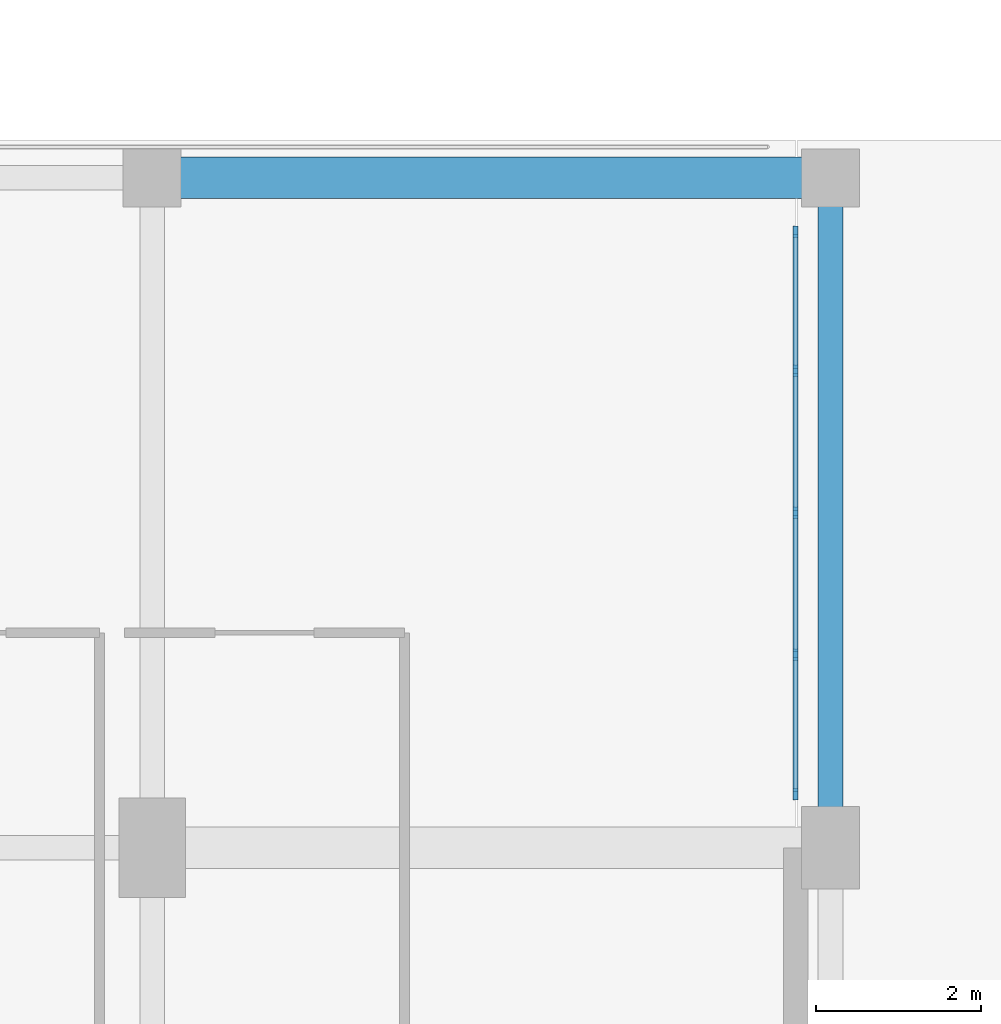
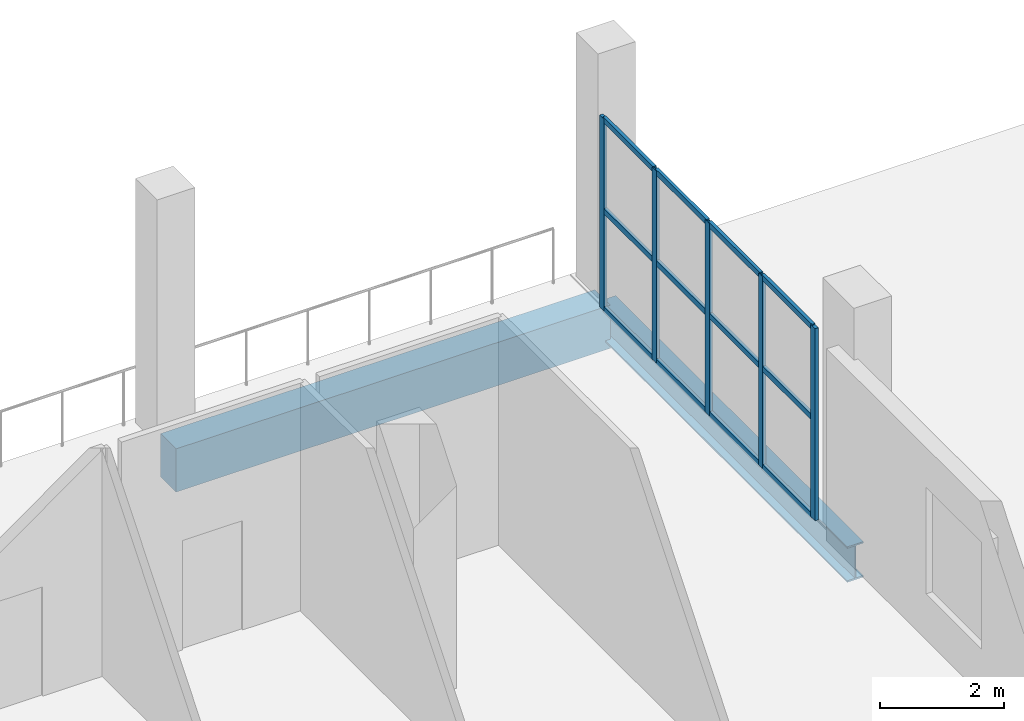
# One storey, part 49 of 142: 17 members, 2 beams, 1 element without a shape of its own.
"""IFC4 building model written with IfcOpenShell, lengths in metres."""

from ifc_helpers import new_model, si_unit, direction, frame, origin, origin_2d, place, context, subcontext, project, spatial, rectangle, i_section, extrude, material, material_profile, profile_set, type_object, element, aggregate, save


model = new_model("IFC4")

# Units and contexts
model_context = context("Model", 3, precision=1e-05, world=origin(), true_north=direction((0.0, 1.0)))
body_context = subcontext(model_context, "Body", "Model", "MODEL_VIEW")
ifc_project = project(units=[si_unit("LENGTHUNIT", "METRE"), si_unit("AREAUNIT", "SQUARE_METRE"), si_unit("VOLUMEUNIT", "CUBIC_METRE"), si_unit("PLANEANGLEUNIT", "RADIAN"), si_unit("MASSUNIT", "GRAM", prefix="KILO")], contexts=[model_context])

# Site, building, storey
site_placement = place(None, origin())
site = spatial("IfcSite", under=ifc_project, at=site_placement, CompositionType="ELEMENT")
building_placement = place(site_placement, origin())
building = spatial("IfcBuilding", under=site, at=building_placement, Name="Koshinbarg Plaza Stadium", CompositionType="ELEMENT")
storey_placement = place(building_placement, frame((0.0, 0.0, 10.199951171875)))
storey = spatial("IfcBuildingStorey", under=building, at=storey_placement, Name="L02", CompositionType="ELEMENT", Elevation=10.199951171875)

# Beams
ifc_material_1 = material(Name="Concrete C40/50", Category="concrete")
ifc_material_profile_1 = material_profile(ifc_material_1, rectangle(XDim=0.5, YDim=0.85009765625, at=origin_2d()), Name="RC 500x850")
ifc_profile_set_1 = profile_set([ifc_material_profile_1], Name="Concrete C40/50")
beam_type_1 = type_object("IfcBeamType", Name="BM-RCG-05", PredefinedType="USERDEFINED", material=ifc_profile_set_1)
beam_1_placement = place(storey_placement, frame((227.659912109375, 24.5, -0.724853515625), z_axis=(1.0, 0.0, 0.0), x_axis=(0.0, 1.0, 0.0)))
element("IfcBeam", 1, at=beam_1_placement, inside=storey, type_object=beam_type_1, Name="L02 X girder D/23-24", ObjectType="GIRDER", PredefinedType="USERDEFINED", context=body_context, shape_type="SweptSolid", body=[
    extrude(rectangle(XDim=0.5, YDim=0.85009765625, at=origin_2d()), origin(), (0.0, 0.0, 1.0), 8.080078125),
])
ifc_material_2 = material(Name="Steel S355", Category="steel")
ifc_material_profile_2 = material_profile(ifc_material_2, i_section(OverallWidth=0.300048828125, OverallDepth=0.699951171875, WebThickness=0.01708984375, FlangeThickness=0.031982421875, at=origin_2d()), Name="HEB 700")
ifc_profile_set_2 = profile_set([ifc_material_profile_2], Name="Steel S355")
beam_type_2 = type_object("IfcBeamType", Name="BM-SGIR-03", PredefinedType="USERDEFINED", material=ifc_profile_set_2)
beam_2_placement = place(storey_placement, frame((235.800048828125, 16.4599609375, -0.64990234375), z_axis=(0.0, 1.0, 0.0), x_axis=(-1.0, 0.0, 0.0)))
element("IfcBeam", 2, at=beam_2_placement, inside=storey, type_object=beam_type_2, Name="L02 Y girder 24/C-D", ObjectType="GIRDER", PredefinedType="USERDEFINED", context=body_context, shape_type="SweptSolid", body=[
    extrude(i_section(OverallWidth=0.300048828125, OverallDepth=0.699951171875, WebThickness=0.01708984375, FlangeThickness=0.031982421875, at=origin_2d()), origin(), (0.0, 0.0, 1.0), 7.97998046875),
])

# Curtain wall, members
ifc_material_3 = material(Name="Thermally broken anodised aluminium and low-E double glazing", Category="aluminium")
curtain_wall_type = type_object("IfcCurtainWallType", Name="CW-SYS-13", PredefinedType="NOTDEFINED", material=ifc_material_3)
curtain_wall_placement = place(storey_placement, origin())
curtain_wall = element("IfcCurtainWall", 3, at=curtain_wall_placement, inside=storey, type_object=curtain_wall_type, Name="L02 unitised curtain wall CW-L02-060", PredefinedType="NOTDEFINED")
ifc_material_4 = material(Name="Anodised aluminium mullion", Category="aluminium")
ifc_material_profile_3 = material_profile(ifc_material_4, rectangle(XDim=0.06005859375, YDim=0.139892578125, at=origin_2d()), Name="ALU 60x140")
ifc_profile_set_3 = profile_set([ifc_material_profile_3], Name="Anodised aluminium mullion")
member_type_1 = type_object("IfcMemberType", Name="CW-MUL-01", PredefinedType="MULLION", material=ifc_profile_set_3)
member_1_placement = place(storey_placement, frame((235.3798828125, 23.85009765625, 0.0), z_axis=(0.0, 0.0, 1.0), x_axis=(1.0, 0.0, 0.0)))
member_1 = element("IfcMember", 4, at=member_1_placement, type_object=member_type_1, Name="CW13 mullion 1", PredefinedType="MULLION", context=body_context, shape_type="SweptSolid", body=[
    extrude(rectangle(XDim=0.06005859375, YDim=0.139892578125, at=origin_2d()), origin(), (0.0, 0.0, 1.0), 3.780029296875),
])
member_2_placement = place(storey_placement, frame((235.3798828125, 22.1650390625, 0.0), z_axis=(0.0, 0.0, 1.0), x_axis=(1.0, 0.0, 0.0)))
member_2 = element("IfcMember", 5, at=member_2_placement, type_object=member_type_1, Name="CW13 mullion 2", PredefinedType="MULLION", context=body_context, shape_type="SweptSolid", body=[
    extrude(rectangle(XDim=0.06005859375, YDim=0.139892578125, at=origin_2d()), origin(), (0.0, 0.0, 1.0), 3.780029296875),
])
member_3_placement = place(storey_placement, frame((235.3798828125, 20.449951171875, 0.0), z_axis=(0.0, 0.0, 1.0), x_axis=(1.0, 0.0, 0.0)))
member_3 = element("IfcMember", 6, at=member_3_placement, type_object=member_type_1, Name="CW13 mullion 3", PredefinedType="MULLION", context=body_context, shape_type="SweptSolid", body=[
    extrude(rectangle(XDim=0.06005859375, YDim=0.139892578125, at=origin_2d()), origin(), (0.0, 0.0, 1.0), 3.780029296875),
])
member_4_placement = place(storey_placement, frame((235.3798828125, 18.735107421875, 0.0), z_axis=(0.0, 0.0, 1.0), x_axis=(1.0, 0.0, 0.0)))
member_4 = element("IfcMember", 7, at=member_4_placement, type_object=member_type_1, Name="CW13 mullion 4", PredefinedType="MULLION", context=body_context, shape_type="SweptSolid", body=[
    extrude(rectangle(XDim=0.06005859375, YDim=0.139892578125, at=origin_2d()), origin(), (0.0, 0.0, 1.0), 3.780029296875),
])
member_5_placement = place(storey_placement, frame((235.3798828125, 17.050048828125, 0.0), z_axis=(0.0, 0.0, 1.0), x_axis=(1.0, 0.0, 0.0)))
member_5 = element("IfcMember", 8, at=member_5_placement, type_object=member_type_1, Name="CW13 mullion 5", PredefinedType="MULLION", context=body_context, shape_type="SweptSolid", body=[
    extrude(rectangle(XDim=0.06005859375, YDim=0.139892578125, at=origin_2d()), origin(), (0.0, 0.0, 1.0), 3.780029296875),
])
ifc_material_5 = material(Name="Anodised aluminium transom", Category="aluminium")
ifc_material_profile_4 = material_profile(ifc_material_5, rectangle(XDim=0.06005859375, YDim=0.110107421875, at=origin_2d()), Name="ALU 60x110")
ifc_profile_set_4 = profile_set([ifc_material_profile_4], Name="Anodised aluminium transom")
member_type_2 = type_object("IfcMemberType", Name="CW-TRN-01", PredefinedType="USERDEFINED", material=ifc_profile_set_4)
member_6_placement = place(storey_placement, frame((235.3798828125, 23.820068359375, 0.030029296875), z_axis=(0.0, -1.0, 0.0), x_axis=(1.0, 0.0, 0.0)))
member_6 = element("IfcMember", 9, at=member_6_placement, type_object=member_type_2, Name="CW13 transom 1.1", ObjectType="TRANSOM", PredefinedType="USERDEFINED", context=body_context, shape_type="SweptSolid", body=[
    extrude(rectangle(XDim=0.06005859375, YDim=0.110107421875, at=origin_2d()), origin(), (0.0, 0.0, 1.0), 1.625),
])
member_7_placement = place(storey_placement, frame((235.3798828125, 23.820068359375, 1.965576171875), z_axis=(0.0, -1.0, 0.0), x_axis=(1.0, 0.0, 0.0)))
member_7 = element("IfcMember", 10, at=member_7_placement, type_object=member_type_2, Name="CW13 transom 1.2", ObjectType="TRANSOM", PredefinedType="USERDEFINED", context=body_context, shape_type="SweptSolid", body=[
    extrude(rectangle(XDim=0.06005859375, YDim=0.110107421875, at=origin_2d()), origin(), (0.0, 0.0, 1.0), 1.625),
])
member_8_placement = place(storey_placement, frame((235.3798828125, 23.820068359375, 3.75), z_axis=(0.0, -1.0, 0.0), x_axis=(1.0, 0.0, 0.0)))
member_8 = element("IfcMember", 11, at=member_8_placement, type_object=member_type_2, Name="CW13 transom 1.3", ObjectType="TRANSOM", PredefinedType="USERDEFINED", context=body_context, shape_type="SweptSolid", body=[
    extrude(rectangle(XDim=0.06005859375, YDim=0.110107421875, at=origin_2d()), origin(), (0.0, 0.0, 1.0), 1.625),
])
member_9_placement = place(storey_placement, frame((235.3798828125, 22.135009765625, 0.030029296875), z_axis=(0.0, -1.0, 0.0), x_axis=(1.0, 0.0, 0.0)))
member_9 = element("IfcMember", 12, at=member_9_placement, type_object=member_type_2, Name="CW13 transom 2.1", ObjectType="TRANSOM", PredefinedType="USERDEFINED", context=body_context, shape_type="SweptSolid", body=[
    extrude(rectangle(XDim=0.06005859375, YDim=0.110107421875, at=origin_2d()), origin(), (0.0, 0.0, 1.0), 1.655029296875),
])
member_10_placement = place(storey_placement, frame((235.3798828125, 22.135009765625, 1.965576171875), z_axis=(0.0, -1.0, 0.0), x_axis=(1.0, 0.0, 0.0)))
member_10 = element("IfcMember", 13, at=member_10_placement, type_object=member_type_2, Name="CW13 transom 2.2", ObjectType="TRANSOM", PredefinedType="USERDEFINED", context=body_context, shape_type="SweptSolid", body=[
    extrude(rectangle(XDim=0.06005859375, YDim=0.110107421875, at=origin_2d()), origin(), (0.0, 0.0, 1.0), 1.655029296875),
])
member_11_placement = place(storey_placement, frame((235.3798828125, 22.135009765625, 3.75), z_axis=(0.0, -1.0, 0.0), x_axis=(1.0, 0.0, 0.0)))
member_11 = element("IfcMember", 14, at=member_11_placement, type_object=member_type_2, Name="CW13 transom 2.3", ObjectType="TRANSOM", PredefinedType="USERDEFINED", context=body_context, shape_type="SweptSolid", body=[
    extrude(rectangle(XDim=0.06005859375, YDim=0.110107421875, at=origin_2d()), origin(), (0.0, 0.0, 1.0), 1.655029296875),
])
member_12_placement = place(storey_placement, frame((235.3798828125, 20.419921875, 0.030029296875), z_axis=(0.0, -1.0, 0.0), x_axis=(1.0, 0.0, 0.0)))
member_12 = element("IfcMember", 15, at=member_12_placement, type_object=member_type_2, Name="CW13 transom 3.1", ObjectType="TRANSOM", PredefinedType="USERDEFINED", context=body_context, shape_type="SweptSolid", body=[
    extrude(rectangle(XDim=0.06005859375, YDim=0.110107421875, at=origin_2d()), origin(), (0.0, 0.0, 1.0), 1.655029296875),
])
member_13_placement = place(storey_placement, frame((235.3798828125, 20.419921875, 1.965576171875), z_axis=(0.0, -1.0, 0.0), x_axis=(1.0, 0.0, 0.0)))
member_13 = element("IfcMember", 16, at=member_13_placement, type_object=member_type_2, Name="CW13 transom 3.2", ObjectType="TRANSOM", PredefinedType="USERDEFINED", context=body_context, shape_type="SweptSolid", body=[
    extrude(rectangle(XDim=0.06005859375, YDim=0.110107421875, at=origin_2d()), origin(), (0.0, 0.0, 1.0), 1.655029296875),
])
member_14_placement = place(storey_placement, frame((235.3798828125, 20.419921875, 3.75), z_axis=(0.0, -1.0, 0.0), x_axis=(1.0, 0.0, 0.0)))
member_14 = element("IfcMember", 17, at=member_14_placement, type_object=member_type_2, Name="CW13 transom 3.3", ObjectType="TRANSOM", PredefinedType="USERDEFINED", context=body_context, shape_type="SweptSolid", body=[
    extrude(rectangle(XDim=0.06005859375, YDim=0.110107421875, at=origin_2d()), origin(), (0.0, 0.0, 1.0), 1.655029296875),
])
member_15_placement = place(storey_placement, frame((235.3798828125, 18.705078125, 0.030029296875), z_axis=(0.0, -1.0, 0.0), x_axis=(1.0, 0.0, 0.0)))
member_15 = element("IfcMember", 18, at=member_15_placement, type_object=member_type_2, Name="CW13 transom 4.1", ObjectType="TRANSOM", PredefinedType="USERDEFINED", context=body_context, shape_type="SweptSolid", body=[
    extrude(rectangle(XDim=0.06005859375, YDim=0.110107421875, at=origin_2d()), origin(), (0.0, 0.0, 1.0), 1.625),
])
member_16_placement = place(storey_placement, frame((235.3798828125, 18.705078125, 1.965576171875), z_axis=(0.0, -1.0, 0.0), x_axis=(1.0, 0.0, 0.0)))
member_16 = element("IfcMember", 19, at=member_16_placement, type_object=member_type_2, Name="CW13 transom 4.2", ObjectType="TRANSOM", PredefinedType="USERDEFINED", context=body_context, shape_type="SweptSolid", body=[
    extrude(rectangle(XDim=0.06005859375, YDim=0.110107421875, at=origin_2d()), origin(), (0.0, 0.0, 1.0), 1.625),
])
member_17_placement = place(storey_placement, frame((235.3798828125, 18.705078125, 3.75), z_axis=(0.0, -1.0, 0.0), x_axis=(1.0, 0.0, 0.0)))
member_17 = element("IfcMember", 20, at=member_17_placement, type_object=member_type_2, Name="CW13 transom 4.3", ObjectType="TRANSOM", PredefinedType="USERDEFINED", context=body_context, shape_type="SweptSolid", body=[
    extrude(rectangle(XDim=0.06005859375, YDim=0.110107421875, at=origin_2d()), origin(), (0.0, 0.0, 1.0), 1.625),
])
aggregate(curtain_wall, [member_1, member_2, member_3, member_4, member_5, member_6, member_7, member_8, member_9, member_10, member_11, member_12, member_13, member_14, member_15, member_16, member_17])

save(model, "model.ifc")
